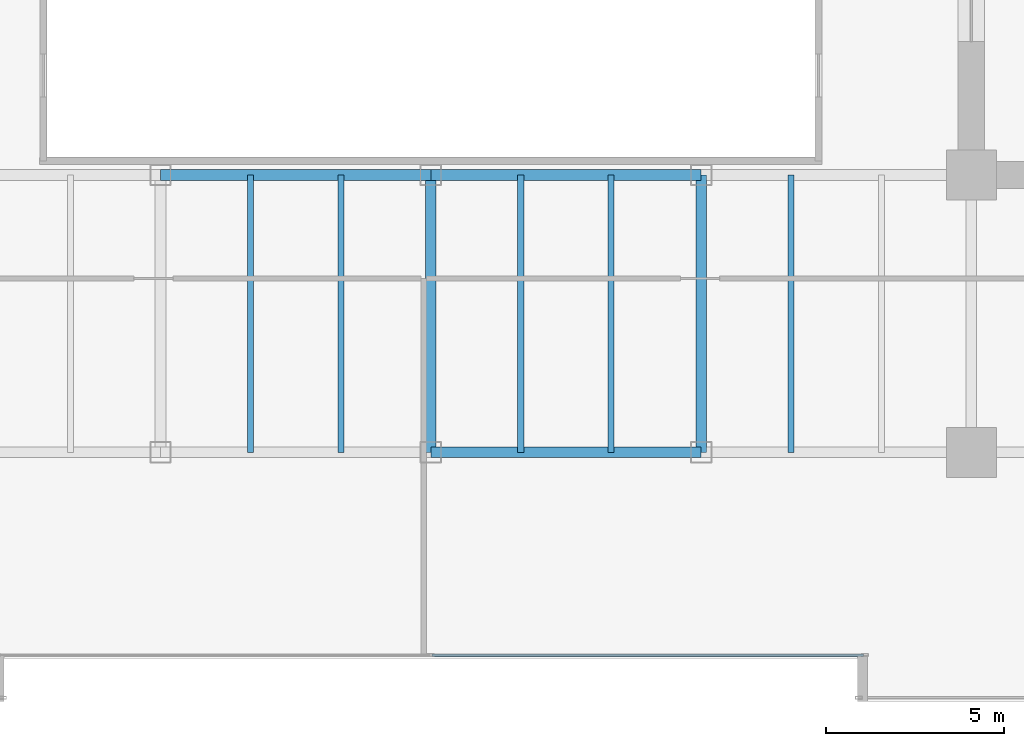
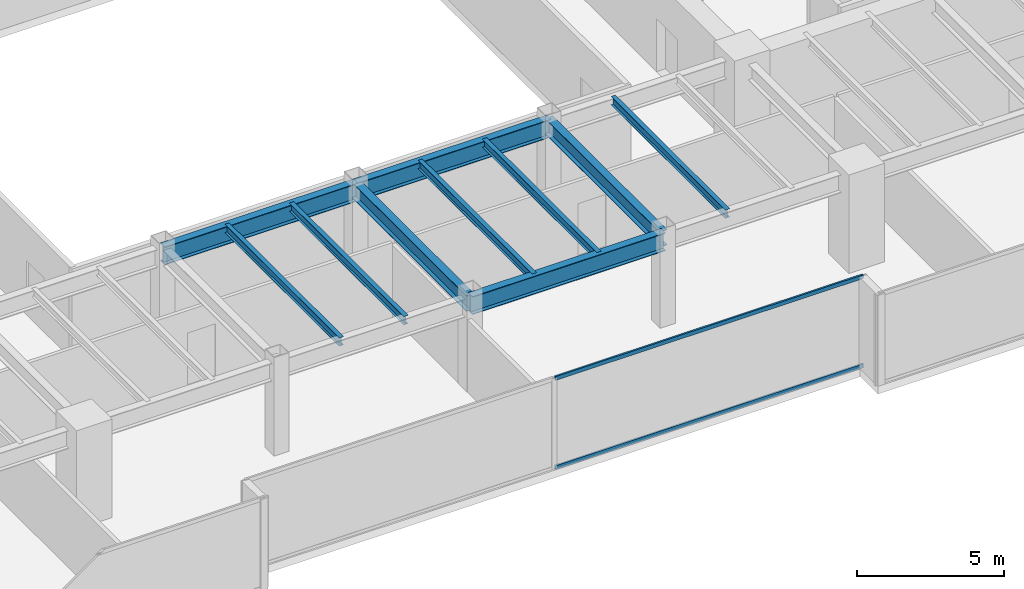
# One storey, part 9 of 35: 10 beams, 2 members, 1 element without a shape of its own.
"""IFC4 building model written with IfcOpenShell, lengths in metres."""

from ifc_helpers import new_model, si_unit, direction, frame, origin, origin_2d, place, context, subcontext, project, spatial, hollow_rectangle, i_section, extrude, source, transform, mapped, material, layer, layer_set, material_profile, profile_set, type_object, type_shapes, element, aggregate, save


model = new_model("IFC4")

# Units and contexts
model_context = context("Model", 3, precision=1e-05, world=origin(), true_north=direction((0.0, 1.0)))
body_context = subcontext(model_context, "Body", "Model", "MODEL_VIEW")
ifc_project = project(units=[si_unit("LENGTHUNIT", "METRE"), si_unit("AREAUNIT", "SQUARE_METRE"), si_unit("VOLUMEUNIT", "CUBIC_METRE"), si_unit("PLANEANGLEUNIT", "RADIAN"), si_unit("MASSUNIT", "GRAM", prefix="KILO")], contexts=[model_context])

# Site, building, storey
site_placement = place(None, origin())
site = spatial("IfcSite", under=ifc_project, at=site_placement, CompositionType="ELEMENT")
building_placement = place(site_placement, origin())
building = spatial("IfcBuilding", under=site, at=building_placement, Name="Haelvirn Gate Laboratories", CompositionType="ELEMENT")
storey_placement = place(building_placement, frame((0.0, 0.0, 70.300048828125)))
storey = spatial("IfcBuildingStorey", under=building, at=storey_placement, Name="L17", CompositionType="ELEMENT", Elevation=70.300048828125)

# Beams
ifc_material_1 = material(Name="Steel SM355", Category="steel")
ifc_material_profile_1 = material_profile(ifc_material_1, i_section(OverallWidth=0.300048828125, OverallDepth=0.75, WebThickness=0.013916015625, FlangeThickness=0.02392578125, at=origin_2d()), Name="H-750x300x14x24")
ifc_profile_set_1 = profile_set([ifc_material_profile_1], Name="Steel SM355")
beam_type_1 = type_object("IfcBeamType", Name="BM-G-750", PredefinedType="BEAM", material=ifc_profile_set_1)
shared_shape_1 = source(origin(), body_context, "Body", "SweptSolid", [
    extrude(i_section(OverallWidth=0.300048828125, OverallDepth=0.75, WebThickness=0.013916015625, FlangeThickness=0.02392578125, at=origin_2d()), origin(), (0.0, 0.0, 1.0), 7.60009765625),
])
for number, where, z_axis, x_axis, name in (
    (1, (37.39990234375, 7.0, 3.405029296875), (1.0, 0.0, 0.0), (0.0, 1.0, 0.0), "L17 Primary Girder Y7.0 (37.4-45.0)"),
    (2, (37.39990234375, 14.800048828125, 3.405029296875), (1.0, 0.0, 0.0), (0.0, 1.0, 0.0), "L17 Primary Girder Y14.8 (37.4-45.0)"),
):
    element("IfcBeam", number, at=place(storey_placement, frame(where, z_axis=z_axis, x_axis=x_axis)), inside=storey, type_object=beam_type_1, Name=name, PredefinedType="BEAM", context=body_context, shape_type="MappedRepresentation", body=[
        mapped(shared_shape_1, transform((0.0, 0.0, 0.0), scale=1.0)),
    ])
shared_shape_2 = source(origin(), body_context, "Body", "SweptSolid", [
    extrude(i_section(OverallWidth=0.300048828125, OverallDepth=0.75, WebThickness=0.013916015625, FlangeThickness=0.02392578125, at=origin_2d()), origin(), (0.0, 0.0, 1.0), 7.599853515625),
])
type_shapes(beam_type_1, [shared_shape_1, shared_shape_2])
beam_placement = place(storey_placement, frame((29.800048828125, 14.800048828125, 3.405029296875), z_axis=(1.0, 0.0, 0.0), x_axis=(0.0, 1.0, 0.0)))
element("IfcBeam", 3, at=beam_placement, inside=storey, type_object=beam_type_1, Name="L17 Primary Girder Y14.8 (29.8-37.4)", PredefinedType="BEAM", context=body_context, shape_type="MappedRepresentation", body=[
    mapped(shared_shape_2, transform((0.0, 0.0, 0.0), scale=1.0)),
])
ifc_material_profile_2 = material_profile(ifc_material_1, i_section(OverallWidth=0.175048828125, OverallDepth=0.35009765625, WebThickness=0.007080078125, FlangeThickness=0.010986328125, at=origin_2d()), Name="H-350x175x7x11")
ifc_profile_set_2 = profile_set([ifc_material_profile_2], Name="Steel SM355")
beam_type_2 = type_object("IfcBeamType", Name="BM-J-350", PredefinedType="JOIST", material=ifc_profile_set_2)
shared_shape_3 = source(origin(), body_context, "Body", "SweptSolid", [
    extrude(i_section(OverallWidth=0.175048828125, OverallDepth=0.35009765625, WebThickness=0.007080078125, FlangeThickness=0.010986328125, at=origin_2d()), origin(), (0.0, 0.0, 1.0), 7.800048828125),
])
type_shapes(beam_type_2, [shared_shape_3])
for number, where, z_axis, x_axis, name in (
    (4, (32.330078125, 7.0, 3.60498046875), (0.0, 1.0, 0.0), (-1.0, 0.0, 0.0), "L17 Composite Lab Joist South X32.33"),
    (5, (34.8701171875, 7.0, 3.60498046875), (0.0, 1.0, 0.0), (-1.0, 0.0, 0.0), "L17 Composite Lab Joist South X34.87"),
    (6, (39.929931640625, 7.0, 3.60498046875), (0.0, 1.0, 0.0), (-1.0, 0.0, 0.0), "L17 Composite Lab Joist South X39.93"),
    (7, (42.469970703125, 7.0, 3.60498046875), (0.0, 1.0, 0.0), (-1.0, 0.0, 0.0), "L17 Composite Lab Joist South X42.47"),
    (8, (47.530029296875, 7.0, 3.60498046875), (0.0, 1.0, 0.0), (-1.0, 0.0, 0.0), "L17 Composite Lab Joist South X47.53"),
):
    element("IfcBeam", number, at=place(storey_placement, frame(where, z_axis=z_axis, x_axis=x_axis)), inside=storey, type_object=beam_type_2, Name=name, PredefinedType="JOIST", context=body_context, shape_type="MappedRepresentation", body=[
        mapped(shared_shape_3, transform((0.0, 0.0, 0.0), scale=1.0)),
    ])
ifc_material_profile_3 = material_profile(ifc_material_1, i_section(OverallWidth=0.300048828125, OverallDepth=0.64990234375, WebThickness=0.012939453125, FlangeThickness=0.02197265625, at=origin_2d()), Name="H-650x300x13x22")
ifc_profile_set_3 = profile_set([ifc_material_profile_3], Name="Steel SM355")
beam_type_3 = type_object("IfcBeamType", Name="BM-G-650", PredefinedType="BEAM", material=ifc_profile_set_3)
shared_shape_4 = source(origin(), body_context, "Body", "SweptSolid", [
    extrude(i_section(OverallWidth=0.300048828125, OverallDepth=0.64990234375, WebThickness=0.012939453125, FlangeThickness=0.02197265625, at=origin_2d()), origin(), (0.0, 0.0, 1.0), 7.800048828125),
])
type_shapes(beam_type_3, [shared_shape_4])
for number, where, z_axis, x_axis, name in (
    (9, (37.39990234375, 7.0, 3.454833984375), (0.0, 1.0, 0.0), (-1.0, 0.0, 0.0), "L17 Frame Girder X37.4 (7.0-14.8)"),
    (10, (45.0, 7.0, 3.454833984375), (0.0, 1.0, 0.0), (-1.0, 0.0, 0.0), "L17 Frame Girder X45.0 (7.0-14.8)"),
):
    element("IfcBeam", number, at=place(storey_placement, frame(where, z_axis=z_axis, x_axis=x_axis)), inside=storey, type_object=beam_type_3, Name=name, PredefinedType="BEAM", context=body_context, shape_type="MappedRepresentation", body=[
        mapped(shared_shape_4, transform((0.0, 0.0, 0.0), scale=1.0)),
    ])

# Curtain wall, members
ifc_material_2 = material(Name="Anodised bronze unitised aluminium & triple low-E glass", Category="aluminium")
ifc_layer = layer(ifc_material_2, 0.18408203125, Name="CW-SYS-2")
ifc_layer_set = layer_set([ifc_layer], Name="Anodised bronze unitised aluminium & triple low-E glass")
curtain_wall_type = type_object("IfcCurtainWallType", Name="CW-SYS-2", PredefinedType="NOTDEFINED", material=ifc_layer_set)
curtain_wall_placement = place(storey_placement, origin())
curtain_wall = element("IfcCurtainWall", 11, at=curtain_wall_placement, inside=storey, type_object=curtain_wall_type, Name="L17 Unitised Curtain Wall CW-L17-P0-E02-1", PredefinedType="NOTDEFINED")
ifc_material_3 = material(Name="Extruded aluminium 6063-T6 (anodised bronze)", Category="aluminium")
ifc_material_profile_4 = material_profile(ifc_material_3, hollow_rectangle(XDim=0.070068359375, YDim=0.159912109375, WallThickness=0.0048828125, at=origin_2d()), Name="CWT-160x70x5")
ifc_profile_set_4 = profile_set([ifc_material_profile_4], Name="Extruded aluminium 6063-T6 (anodised bronze)")
member_type = type_object("IfcMemberType", Name="CWT-T160", PredefinedType="USERDEFINED", material=ifc_profile_set_4)
shared_shape_5 = source(origin(), body_context, "Body", "SweptSolid", [
    extrude(hollow_rectangle(XDim=0.070068359375, YDim=0.159912109375, WallThickness=0.0048828125, at=origin_2d()), origin(), (0.0, 0.0, 1.0), 12.12744140625),
])
type_shapes(member_type, [shared_shape_5])
member_1_placement = place(storey_placement, frame((37.4375, 1.300048828125, 0.034912109375), z_axis=(1.0, 0.0, 0.0), x_axis=(0.0, 1.0, 0.0)))
member_1 = element("IfcMember", 12, at=member_1_placement, type_object=member_type, Name="CW2 transom 2.1", ObjectType="TRANSOM", PredefinedType="USERDEFINED", context=body_context, shape_type="MappedRepresentation", body=[
    mapped(shared_shape_5, transform((0.0, 0.0, 0.0), scale=1.0)),
])
member_2_placement = place(storey_placement, frame((37.4375, 1.300048828125, 3.744873046875), z_axis=(1.0, 0.0, 0.0), x_axis=(0.0, 1.0, 0.0)))
member_2 = element("IfcMember", 13, at=member_2_placement, type_object=member_type, Name="CW2 transom 2.2", ObjectType="TRANSOM", PredefinedType="USERDEFINED", context=body_context, shape_type="MappedRepresentation", body=[
    mapped(shared_shape_5, transform((0.0, 0.0, 0.0), scale=1.0)),
])
aggregate(curtain_wall, [member_1, member_2])

save(model, "model.ifc")
